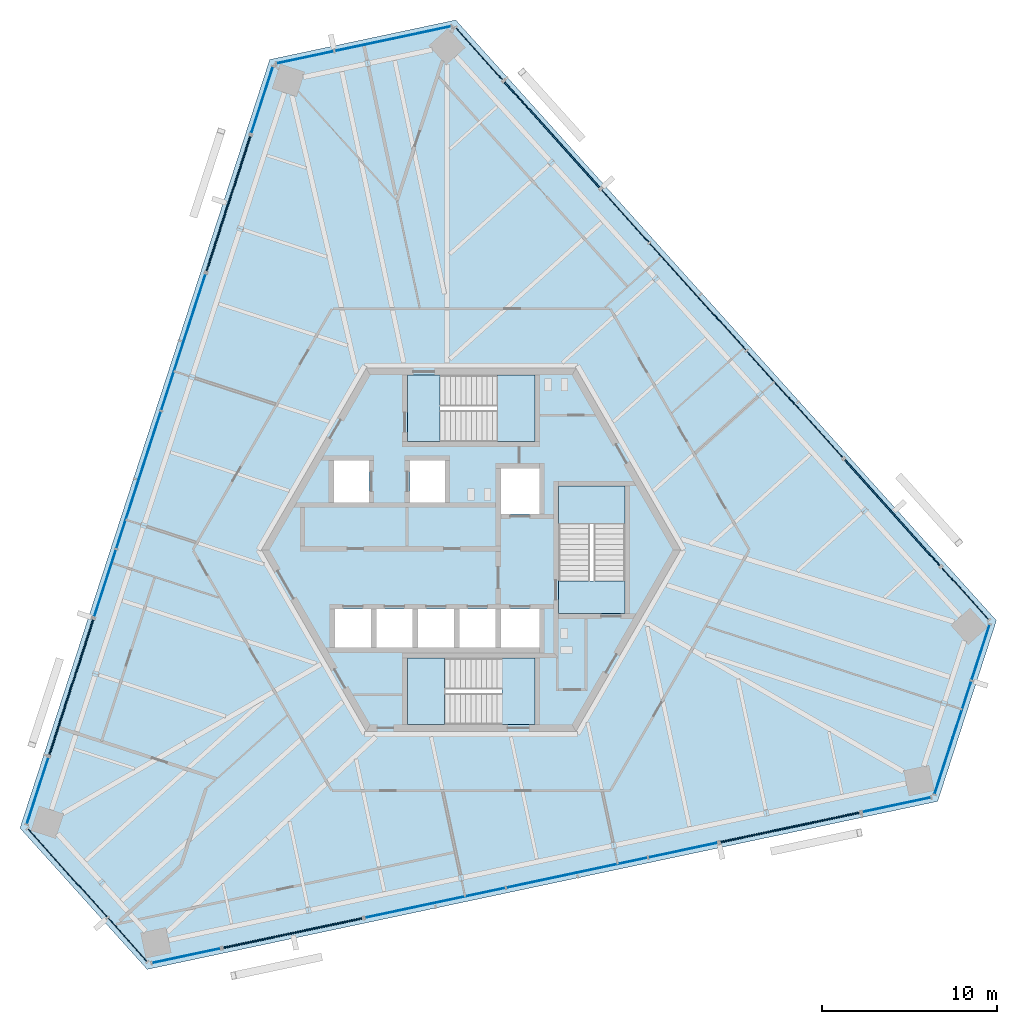
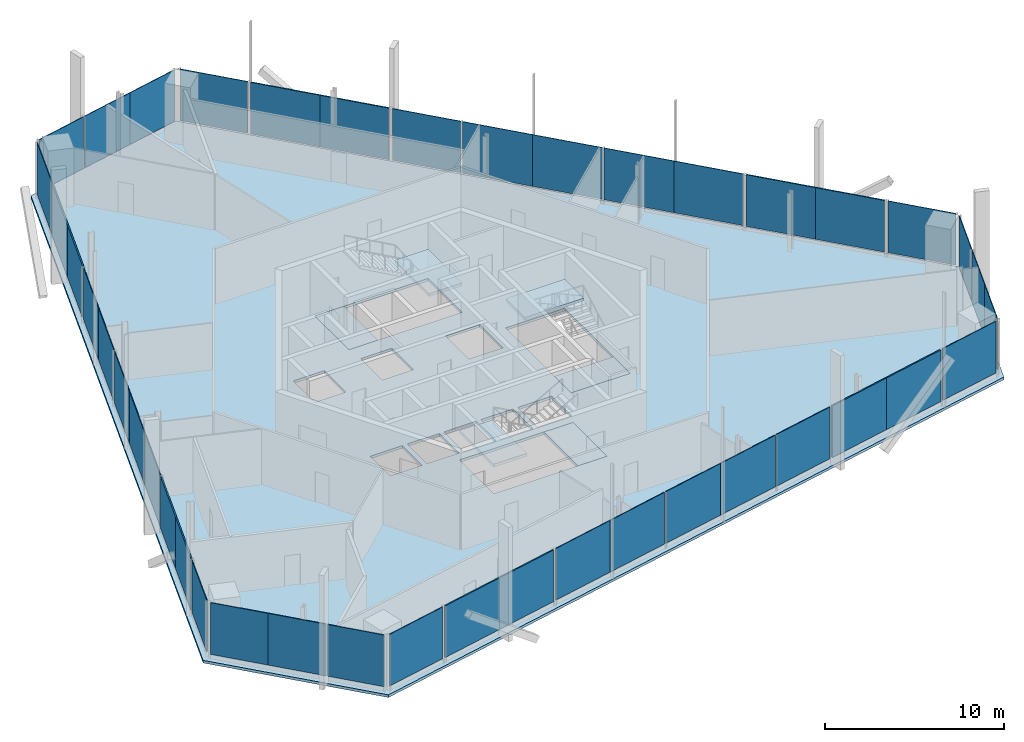
# One storey, part 9 of 17: 42 plates, 7 slabs, 21 elements without a shape of their own.
"""IFC4 building model written with IfcOpenShell, lengths in metres."""

from ifc_helpers import new_model, si_unit, direction, frame, origin, origin_2d, place, context, subcontext, project, spatial, polyline, rectangle, outline, extrude, source, transform, mapped, material, layer, layer_set, type_object, element, aggregate, save


model = new_model("IFC4")

# Units and contexts
model_context = context("Model", 3, precision=1e-05, world=origin(), true_north=direction((0.0, 1.0)))
body_context = subcontext(model_context, "Body", "Model", "MODEL_VIEW")
ifc_project = project(units=[si_unit("LENGTHUNIT", "METRE"), si_unit("AREAUNIT", "SQUARE_METRE"), si_unit("VOLUMEUNIT", "CUBIC_METRE"), si_unit("PLANEANGLEUNIT", "RADIAN"), si_unit("MASSUNIT", "GRAM", prefix="KILO")], contexts=[model_context])

# Site, building, storey
site_placement = place(None, origin())
site = spatial("IfcSite", under=ifc_project, at=site_placement, CompositionType="ELEMENT")
building_placement = place(site_placement, origin())
building = spatial("IfcBuilding", under=site, at=building_placement, Name="Triune Harvest Tower", CompositionType="ELEMENT")
storey_placement = place(building_placement, frame((0.0, 0.0, 288.699951171875)))
storey = spatial("IfcBuildingStorey", under=building, at=storey_placement, Name="L76", CompositionType="ELEMENT", Elevation=288.699951171875)

# Slab
ifc_material_1 = material(Name="Concrete 40 MPa", Category="concrete")
ifc_layer_1 = layer(ifc_material_1, 0.179931640625)
ifc_layer_set_1 = layer_set([ifc_layer_1], Name="Concrete 40 MPa")
slab_type_1 = type_object("IfcSlabType", Name="SL-2 Composite floor slab 180", PredefinedType="FLOOR", material=ifc_layer_set_1)
shared_shape_1 = source(origin(), body_context, "Body", "SweptSolid", [
    extrude(outline(polyline([(30.05810546875, -4.04638671875), (-0.88232421875, 30.31640625), (-11.524658203125, 28.054443359375), (-25.813720703125, -15.922607421875), (-18.533447265625, -24.0078125), (26.696044921875, -14.39404296875), (30.05810546875, -4.04638671875)]), holes=[polyline([(-5.72509765625, -5.590087890625), (-5.72509765625, -3.389892578125), (-7.800048828125, -3.389892578125), (-7.800048828125, -5.590087890625), (-5.72509765625, -5.590087890625)]), polyline([(-3.35009765625, -5.590087890625), (-3.35009765625, -3.389892578125), (-5.425048828125, -3.389892578125), (-5.425048828125, -5.590087890625), (-3.35009765625, -5.590087890625)]), polyline([(-0.97509765625, -5.590087890625), (-0.97509765625, -3.389892578125), (-3.050048828125, -3.389892578125), (-3.050048828125, -5.590087890625), (-0.97509765625, -5.590087890625)]), polyline([(1.39990234375, -5.590087890625), (1.39990234375, -3.389892578125), (-0.675048828125, -3.389892578125), (-0.675048828125, -5.590087890625), (1.39990234375, -5.590087890625)]), polyline([(3.89990234375, 2.06005859375), (3.89990234375, 4.659912109375), (1.699951171875, 4.659912109375), (1.699951171875, 2.06005859375), (3.89990234375, 2.06005859375)]), polyline([(3.89990234375, -5.590087890625), (3.89990234375, -3.389892578125), (1.699951171875, -3.389892578125), (1.699951171875, -5.590087890625), (3.89990234375, -5.590087890625)]), polyline([(-5.85009765625, 2.7099609375), (-5.85009765625, 5.110107421875), (-7.85009765625, 5.110107421875), (-7.85009765625, 2.7099609375), (-5.85009765625, 2.7099609375)]), polyline([(-1.5, 2.7099609375), (-1.5, 5.110107421875), (-3.5, 5.110107421875), (-3.5, 2.7099609375), (-1.5, 2.7099609375)]), polyline([(3.64990234375, 6.18994140625), (3.64990234375, 9.989990234375), (-3.64990234375, 9.989990234375), (-3.64990234375, 6.18994140625), (3.64990234375, 6.18994140625)]), polyline([(3.64990234375, -9.989990234375), (3.64990234375, -6.18994140625), (-3.64990234375, -6.18994140625), (-3.64990234375, -9.989990234375), (3.64990234375, -9.989990234375)]), polyline([(8.800048828125, -3.64990234375), (8.800048828125, 3.64990234375), (5.0, 3.64990234375), (5.0, -3.64990234375), (8.800048828125, -3.64990234375)])]), origin(), (0.0, 0.0, 1.0), 0.179931640625),
])
slab_1_placement = place(storey_placement, frame((0.0, 0.0, -0.179931640625)))
element("IfcSlab", 1, at=slab_1_placement, inside=storey, type_object=slab_type_1, Name="slab/L76/1", PredefinedType="FLOOR", context=body_context, shape_type="MappedRepresentation", body=[
    mapped(shared_shape_1, transform((0.0, 0.0, 0.0), scale=1.0)),
])

# Stair, slabs
ifc_material_2 = material(Name="Concrete 40 MPa", Category="concrete")
stair_type = type_object("IfcStairType", Name="Exit stair 1800 half turn", PredefinedType="HALF_TURN_STAIR", material=ifc_material_2)
stair_1_placement = place(storey_placement, origin())
stair_1 = element("IfcStair", 2, at=stair_1_placement, inside=storey, type_object=stair_type, Name="Exit stair north", PredefinedType="HALF_TURN_STAIR")
ifc_material_3 = material(Name="Concrete 40 MPa", Category="concrete")
ifc_layer_2 = layer(ifc_material_3, 0.199951171875)
ifc_layer_set_2 = layer_set([ifc_layer_2], Name="Concrete 40 MPa")
slab_type_2 = type_object("IfcSlabType", Name="Stair landing 200", PredefinedType="LANDING", material=ifc_layer_set_2)
shared_shape_2 = source(origin(), body_context, "Body", "SweptSolid", [
    extrude(outline(polyline([(1.510009765625, 6.18994140625), (3.64990234375, 6.18994140625), (3.64990234375, 9.989990234375), (1.510009765625, 9.989990234375), (1.510009765625, 6.18994140625)])), origin(), (0.0, 0.0, 1.0), 0.199951171875),
])
slab_2_placement = place(storey_placement, frame((0.0, 0.0, 1.800048828125)))
slab_2 = element("IfcSlab", 3, at=slab_2_placement, type_object=slab_type_2, Name="ST-1 landing 2", PredefinedType="LANDING", context=body_context, shape_type="MappedRepresentation", body=[
    mapped(shared_shape_2, transform((0.0, 0.0, 0.0), scale=1.0)),
])
shared_shape_3 = source(origin(), body_context, "Body", "SweptSolid", [
    extrude(outline(polyline([(-3.64990234375, 6.18994140625), (-1.780029296875, 6.18994140625), (-1.780029296875, 9.989990234375), (-3.64990234375, 9.989990234375), (-3.64990234375, 6.18994140625)])), origin(), (0.0, 0.0, 1.0), 0.199951171875),
])
slab_3_placement = place(storey_placement, frame((0.0, 0.0, -0.199951171875)))
slab_3 = element("IfcSlab", 4, at=slab_3_placement, type_object=slab_type_2, Name="ST-1 landing 1", PredefinedType="LANDING", context=body_context, shape_type="MappedRepresentation", body=[
    mapped(shared_shape_3, transform((0.0, 0.0, 0.0), scale=1.0)),
])
aggregate(stair_1, [slab_3, slab_2])

stair_2_placement = place(storey_placement, origin())
stair_2 = element("IfcStair", 5, at=stair_2_placement, inside=storey, type_object=stair_type, Name="Exit stair south", PredefinedType="HALF_TURN_STAIR")
shared_shape_4 = source(origin(), body_context, "Body", "SweptSolid", [
    extrude(outline(polyline([(-1.510009765625, -6.18994140625), (-3.64990234375, -6.18994140625), (-3.64990234375, -9.989990234375), (-1.510009765625, -9.989990234375), (-1.510009765625, -6.18994140625)])), origin(), (0.0, 0.0, 1.0), 0.199951171875),
])
slab_4_placement = place(storey_placement, frame((0.0, 0.0, 1.800048828125)))
slab_4 = element("IfcSlab", 6, at=slab_4_placement, type_object=slab_type_2, Name="ST-2 landing 2", PredefinedType="LANDING", context=body_context, shape_type="MappedRepresentation", body=[
    mapped(shared_shape_4, transform((0.0, 0.0, 0.0), scale=1.0)),
])
shared_shape_5 = source(origin(), body_context, "Body", "SweptSolid", [
    extrude(outline(polyline([(3.64990234375, -6.18994140625), (1.780029296875, -6.18994140625), (1.780029296875, -9.989990234375), (3.64990234375, -9.989990234375), (3.64990234375, -6.18994140625)])), origin(), (0.0, 0.0, 1.0), 0.199951171875),
])
slab_5_placement = place(storey_placement, frame((0.0, 0.0, -0.199951171875)))
slab_5 = element("IfcSlab", 7, at=slab_5_placement, type_object=slab_type_2, Name="ST-2 landing 1", PredefinedType="LANDING", context=body_context, shape_type="MappedRepresentation", body=[
    mapped(shared_shape_5, transform((0.0, 0.0, 0.0), scale=1.0)),
])
aggregate(stair_2, [slab_5, slab_4])

stair_3_placement = place(storey_placement, origin())
stair_3 = element("IfcStair", 8, at=stair_3_placement, inside=storey, type_object=stair_type, Name="Exit stair east", PredefinedType="HALF_TURN_STAIR")
shared_shape_6 = source(origin(), body_context, "Body", "SweptSolid", [
    extrude(outline(polyline([(8.800048828125, 1.510009765625), (8.800048828125, 3.64990234375), (5.0, 3.64990234375), (5.0, 1.510009765625), (8.800048828125, 1.510009765625)])), origin(), (0.0, 0.0, 1.0), 0.199951171875),
])
slab_6_placement = place(storey_placement, frame((0.0, 0.0, 1.800048828125)))
slab_6 = element("IfcSlab", 9, at=slab_6_placement, type_object=slab_type_2, Name="ST-3 landing 2", PredefinedType="LANDING", context=body_context, shape_type="MappedRepresentation", body=[
    mapped(shared_shape_6, transform((0.0, 0.0, 0.0), scale=1.0)),
])
shared_shape_7 = source(origin(), body_context, "Body", "SweptSolid", [
    extrude(outline(polyline([(8.800048828125, -3.64990234375), (8.800048828125, -1.780029296875), (5.0, -1.780029296875), (5.0, -3.64990234375), (8.800048828125, -3.64990234375)])), origin(), (0.0, 0.0, 1.0), 0.199951171875),
])
slab_7_placement = place(storey_placement, frame((0.0, 0.0, -0.199951171875)))
slab_7 = element("IfcSlab", 10, at=slab_7_placement, type_object=slab_type_2, Name="ST-3 landing 1", PredefinedType="LANDING", context=body_context, shape_type="MappedRepresentation", body=[
    mapped(shared_shape_7, transform((0.0, 0.0, 0.0), scale=1.0)),
])
aggregate(stair_3, [slab_7, slab_6])

# Curtain wall, plate
ifc_material_4 = material(Name="Aluminium bronze anodised", Category="aluminium")
curtain_wall_type_1 = type_object("IfcCurtainWallType", Name="CW-4 Sky lobby tall glazing wall", PredefinedType="NOTDEFINED", material=ifc_material_4)
curtain_wall_1_placement = place(storey_placement, origin())
curtain_wall_1 = element("IfcCurtainWall", 11, at=curtain_wall_1_placement, inside=storey, type_object=curtain_wall_type_1, Name="CW-4 B7-F1 L76 run 2001")
ifc_material_5 = material(Name="Glass", Category="glass")
ifc_layer_3 = layer(ifc_material_5, 0.0439453125)
ifc_layer_set_3 = layer_set([ifc_layer_3], Name="Glass")
plate_type_1 = type_object("IfcPlateType", Name="GL-4 panel 44", PredefinedType="CURTAIN_PANEL", material=ifc_layer_set_3)
shared_shape_8 = source(origin(), body_context, "Body", "SweptSolid", [
    extrude(rectangle(XDim=4.065673828125, YDim=0.0439453125, at=origin_2d()), origin(), (0.0, 0.0, 1.0), 3.52001953125),
])
plate_1_placement = place(storey_placement, frame((19.896484375, 6.791015625, 0.300048828125), z_axis=(0.0, 0.0, 1.0), x_axis=(-0.669131426809, 0.74314408674, 0.0)))
plate_1 = element("IfcPlate", 12, at=plate_1_placement, type_object=plate_type_1, Name="CW-4 panel B7-F1 2001.1", PredefinedType="CURTAIN_PANEL", context=body_context, shape_type="MappedRepresentation", body=[
    mapped(shared_shape_8, transform((0.0, 0.0, 0.0), scale=1.0)),
])

curtain_wall_2_placement = place(storey_placement, origin())
curtain_wall_2 = element("IfcCurtainWall", 13, at=curtain_wall_2_placement, inside=storey, type_object=curtain_wall_type_1, Name="CW-4 B7-F3 L76 run 2001")
plate_2_placement = place(storey_placement, frame((-15.829345703125, 13.835205078125, 0.300048828125), z_axis=(0.0, 0.0, 1.0), x_axis=(-0.309020017761, -0.951055533932, 0.0)))
plate_2 = element("IfcPlate", 14, at=plate_2_placement, type_object=plate_type_1, Name="CW-4 panel B7-F3 2001.1", PredefinedType="CURTAIN_PANEL", context=body_context, shape_type="MappedRepresentation", body=[
    mapped(shared_shape_8, transform((0.0, 0.0, 0.0), scale=1.0)),
])

curtain_wall_3_placement = place(storey_placement, origin())
curtain_wall_3 = element("IfcCurtainWall", 15, at=curtain_wall_3_placement, inside=storey, type_object=curtain_wall_type_1, Name="CW-4 B7-F5 L76 run 2001")
plate_3_placement = place(storey_placement, frame((-4.06689453125, -20.626220703125, 0.300048828125), z_axis=(0.0, 0.0, 1.0), x_axis=(0.978147303245, 0.207913090389, 0.0)))
plate_3 = element("IfcPlate", 16, at=plate_3_placement, type_object=plate_type_1, Name="CW-4 panel B7-F5 2001.1", PredefinedType="CURTAIN_PANEL", context=body_context, shape_type="MappedRepresentation", body=[
    mapped(shared_shape_8, transform((0.0, 0.0, 0.0), scale=1.0)),
])

# Curtain wall, plates
ifc_material_6 = material(Name="Aluminium bronze anodised", Category="aluminium")
curtain_wall_type_2 = type_object("IfcCurtainWallType", Name="CW-9 Sky lobby tall glazing wall with insulated spandrel infill", PredefinedType="NOTDEFINED", material=ifc_material_6)
curtain_wall_4_placement = place(storey_placement, origin())
curtain_wall_4 = element("IfcCurtainWall", 17, at=curtain_wall_4_placement, inside=storey, type_object=curtain_wall_type_2, Name="CW-9 B7-F1 L76 run 1001")
ifc_material_7 = material(Name="Insulated spandrel panel, bronze aluminium pan", Category="aluminium")
ifc_layer_4 = layer(ifc_material_7, 0.080078125)
ifc_layer_set_4 = layer_set([ifc_layer_4], Name="Insulated spandrel panel, bronze aluminium pan")
plate_type_2 = type_object("IfcPlateType", Name="SP-1 insulated spandrel panel 80", PredefinedType="CURTAIN_PANEL", material=ifc_layer_set_4)
shared_shape_9 = source(origin(), body_context, "Body", "SweptSolid", [
    extrude(rectangle(XDim=4.065673828125, YDim=0.080078125, at=origin_2d()), origin(), (0.0, 0.0, 1.0), 3.52001953125),
])
plate_4_placement = place(storey_placement, frame((25.4580078125, 0.6142578125, 0.300048828125), z_axis=(0.0, 0.0, 1.0), x_axis=(-0.669128901343, 0.743146360677, 0.0)))
plate_4 = element("IfcPlate", 18, at=plate_4_placement, type_object=plate_type_2, Name="CW-9 panel B7-F1 1001.1", PredefinedType="CURTAIN_PANEL", context=body_context, shape_type="MappedRepresentation", body=[
    mapped(shared_shape_9, transform((0.0, 0.0, 0.0), scale=1.0)),
])
plate_5_placement = place(storey_placement, frame((22.7373046875, 3.6357421875, 0.300048828125), z_axis=(0.0, 0.0, 1.0), x_axis=(-0.669128901343, 0.743146360677, 0.0)))
plate_5 = element("IfcPlate", 19, at=plate_5_placement, type_object=plate_type_2, Name="CW-9 panel B7-F1 1001.2", PredefinedType="CURTAIN_PANEL", context=body_context, shape_type="MappedRepresentation", body=[
    mapped(shared_shape_9, transform((0.0, 0.0, 0.0), scale=1.0)),
])
aggregate(curtain_wall_4, [plate_4, plate_5])

curtain_wall_5_placement = place(storey_placement, origin())
curtain_wall_5 = element("IfcCurtainWall", 20, at=curtain_wall_5_placement, inside=storey, type_object=curtain_wall_type_2, Name="CW-9 B7-F1 L76 run 3001")
plate_6_placement = place(storey_placement, frame((5.99267578125, 22.232666015625, 0.300048828125), z_axis=(0.0, 0.0, 1.0), x_axis=(-0.669128901343, 0.743146360677, 0.0)))
plate_6 = element("IfcPlate", 21, at=plate_6_placement, type_object=plate_type_2, Name="CW-9 panel B7-F1 3001.1", PredefinedType="CURTAIN_PANEL", context=body_context, shape_type="MappedRepresentation", body=[
    mapped(shared_shape_9, transform((0.0, 0.0, 0.0), scale=1.0)),
])
plate_7_placement = place(storey_placement, frame((3.27197265625, 25.254150390625, 0.300048828125), z_axis=(0.0, 0.0, 1.0), x_axis=(-0.669128901343, 0.743146360677, 0.0)))
plate_7 = element("IfcPlate", 22, at=plate_7_placement, type_object=plate_type_2, Name="CW-9 panel B7-F1 3001.2", PredefinedType="CURTAIN_PANEL", context=body_context, shape_type="MappedRepresentation", body=[
    mapped(shared_shape_9, transform((0.0, 0.0, 0.0), scale=1.0)),
])
aggregate(curtain_wall_5, [plate_6, plate_7])

curtain_wall_6_placement = place(storey_placement, origin())
curtain_wall_6 = element("IfcCurtainWall", 23, at=curtain_wall_6_placement, inside=storey, type_object=curtain_wall_type_2, Name="CW-9 B7-F3 L76 run 1001")
plate_8_placement = place(storey_placement, frame((-13.260986328125, 21.739990234375, 0.300048828125), z_axis=(0.0, 0.0, 1.0), x_axis=(-0.309014250382, -0.951057407868, 0.0)))
plate_8 = element("IfcPlate", 24, at=plate_8_placement, type_object=plate_type_2, Name="CW-9 panel B7-F3 1001.1", PredefinedType="CURTAIN_PANEL", context=body_context, shape_type="MappedRepresentation", body=[
    mapped(shared_shape_9, transform((0.0, 0.0, 0.0), scale=1.0)),
])
plate_9_placement = place(storey_placement, frame((-14.517333984375, 17.873291015625, 0.300048828125), z_axis=(0.0, 0.0, 1.0), x_axis=(-0.309014250382, -0.951057407868, 0.0)))
plate_9 = element("IfcPlate", 25, at=plate_9_placement, type_object=plate_type_2, Name="CW-9 panel B7-F3 1001.2", PredefinedType="CURTAIN_PANEL", context=body_context, shape_type="MappedRepresentation", body=[
    mapped(shared_shape_9, transform((0.0, 0.0, 0.0), scale=1.0)),
])
aggregate(curtain_wall_6, [plate_8, plate_9])

curtain_wall_7_placement = place(storey_placement, origin())
curtain_wall_7 = element("IfcCurtainWall", 26, at=curtain_wall_7_placement, inside=storey, type_object=curtain_wall_type_2, Name="CW-9 B7-F3 L76 run 3001")
plate_10_placement = place(storey_placement, frame((-22.25048828125, -5.9267578125, 0.300048828125), z_axis=(0.0, 0.0, 1.0), x_axis=(-0.309014250382, -0.951057407868, 0.0)))
plate_10 = element("IfcPlate", 27, at=plate_10_placement, type_object=plate_type_2, Name="CW-9 panel B7-F3 3001.1", PredefinedType="CURTAIN_PANEL", context=body_context, shape_type="MappedRepresentation", body=[
    mapped(shared_shape_9, transform((0.0, 0.0, 0.0), scale=1.0)),
])
plate_11_placement = place(storey_placement, frame((-23.5068359375, -9.79345703125, 0.300048828125), z_axis=(0.0, 0.0, 1.0), x_axis=(-0.309014250382, -0.951057407868, 0.0)))
plate_11 = element("IfcPlate", 28, at=plate_11_placement, type_object=plate_type_2, Name="CW-9 panel B7-F3 3001.2", PredefinedType="CURTAIN_PANEL", context=body_context, shape_type="MappedRepresentation", body=[
    mapped(shared_shape_9, transform((0.0, 0.0, 0.0), scale=1.0)),
])
aggregate(curtain_wall_7, [plate_10, plate_11])

# Plate
shared_shape_10 = source(origin(), body_context, "Body", "SweptSolid", [
    extrude(rectangle(XDim=4.11083984375, YDim=0.0439453125, at=origin_2d()), origin(), (0.0, 0.0, 1.0), 3.52001953125),
])
plate_12_placement = place(storey_placement, frame((17.160888671875, 9.8291015625, 0.300048828125), z_axis=(0.0, 0.0, 1.0), x_axis=(-0.669131426809, 0.74314408674, 0.0)))
plate_12 = element("IfcPlate", 29, at=plate_12_placement, type_object=plate_type_1, Name="CW-4 panel B7-F1 2001.2", PredefinedType="CURTAIN_PANEL", context=body_context, shape_type="MappedRepresentation", body=[
    mapped(shared_shape_10, transform((0.0, 0.0, 0.0), scale=1.0)),
])

plate_13_placement = place(storey_placement, frame((14.349853515625, 12.950927734375, 0.300048828125), z_axis=(0.0, 0.0, 1.0), x_axis=(-0.669131426809, 0.74314408674, 0.0)))
plate_13 = element("IfcPlate", 30, at=plate_13_placement, type_object=plate_type_1, Name="CW-4 panel B7-F1 2001.3", PredefinedType="CURTAIN_PANEL", context=body_context, shape_type="MappedRepresentation", body=[
    mapped(shared_shape_10, transform((0.0, 0.0, 0.0), scale=1.0)),
])

plate_14_placement = place(storey_placement, frame((11.599365234375, 16.005859375, 0.300048828125), z_axis=(0.0, 0.0, 1.0), x_axis=(-0.669131426809, 0.74314408674, 0.0)))
plate_14 = element("IfcPlate", 31, at=plate_14_placement, type_object=plate_type_1, Name="CW-4 panel B7-F1 2001.4", PredefinedType="CURTAIN_PANEL", context=body_context, shape_type="MappedRepresentation", body=[
    mapped(shared_shape_10, transform((0.0, 0.0, 0.0), scale=1.0)),
])

plate_15_placement = place(storey_placement, frame((-17.0927734375, 9.947021484375, 0.300048828125), z_axis=(0.0, 0.0, 1.0), x_axis=(-0.309020017761, -0.951055533932, 0.0)))
plate_15 = element("IfcPlate", 32, at=plate_15_placement, type_object=plate_type_1, Name="CW-4 panel B7-F3 2001.2", PredefinedType="CURTAIN_PANEL", context=body_context, shape_type="MappedRepresentation", body=[
    mapped(shared_shape_10, transform((0.0, 0.0, 0.0), scale=1.0)),
])

plate_16_placement = place(storey_placement, frame((-18.390869140625, 5.951904296875, 0.300048828125), z_axis=(0.0, 0.0, 1.0), x_axis=(-0.309020017761, -0.951055533932, 0.0)))
plate_16 = element("IfcPlate", 33, at=plate_16_placement, type_object=plate_type_1, Name="CW-4 panel B7-F3 2001.3", PredefinedType="CURTAIN_PANEL", context=body_context, shape_type="MappedRepresentation", body=[
    mapped(shared_shape_10, transform((0.0, 0.0, 0.0), scale=1.0)),
])

plate_17_placement = place(storey_placement, frame((-19.6611328125, 2.042236328125, 0.300048828125), z_axis=(0.0, 0.0, 1.0), x_axis=(-0.309020017761, -0.951055533932, 0.0)))
plate_17 = element("IfcPlate", 34, at=plate_17_placement, type_object=plate_type_1, Name="CW-4 panel B7-F3 2001.4", PredefinedType="CURTAIN_PANEL", context=body_context, shape_type="MappedRepresentation", body=[
    mapped(shared_shape_10, transform((0.0, 0.0, 0.0), scale=1.0)),
])

plate_18_placement = place(storey_placement, frame((-0.068115234375, -19.776123046875, 0.300048828125), z_axis=(0.0, 0.0, 1.0), x_axis=(0.978147303245, 0.207913090389, 0.0)))
plate_18 = element("IfcPlate", 35, at=plate_18_placement, type_object=plate_type_1, Name="CW-4 panel B7-F5 2001.2", PredefinedType="CURTAIN_PANEL", context=body_context, shape_type="MappedRepresentation", body=[
    mapped(shared_shape_10, transform((0.0, 0.0, 0.0), scale=1.0)),
])

plate_19_placement = place(storey_placement, frame((4.041015625, -18.90283203125, 0.300048828125), z_axis=(0.0, 0.0, 1.0), x_axis=(0.978147303245, 0.207913090389, 0.0)))
plate_19 = element("IfcPlate", 36, at=plate_19_placement, type_object=plate_type_1, Name="CW-4 panel B7-F5 2001.3", PredefinedType="CURTAIN_PANEL", context=body_context, shape_type="MappedRepresentation", body=[
    mapped(shared_shape_10, transform((0.0, 0.0, 0.0), scale=1.0)),
])

plate_20_placement = place(storey_placement, frame((8.061767578125, -18.048095703125, 0.300048828125), z_axis=(0.0, 0.0, 1.0), x_axis=(0.978147303245, 0.207913090389, 0.0)))
plate_20 = element("IfcPlate", 37, at=plate_20_placement, type_object=plate_type_1, Name="CW-4 panel B7-F5 2001.4", PredefinedType="CURTAIN_PANEL", context=body_context, shape_type="MappedRepresentation", body=[
    mapped(shared_shape_10, transform((0.0, 0.0, 0.0), scale=1.0)),
])

shared_shape_11 = source(origin(), body_context, "Body", "SweptSolid", [
    extrude(rectangle(XDim=4.020751953125, YDim=0.0439453125, at=origin_2d()), origin(), (0.0, 0.0, 1.0), 3.52001953125),
])
plate_21_placement = place(storey_placement, frame((8.818603515625, 19.09423828125, 0.300048828125), z_axis=(0.0, 0.0, 1.0), x_axis=(-0.669131426809, 0.74314408674, 0.0)))
plate_21 = element("IfcPlate", 38, at=plate_21_placement, type_object=plate_type_1, Name="CW-4 panel B7-F1 2001.5", PredefinedType="CURTAIN_PANEL", context=body_context, shape_type="MappedRepresentation", body=[
    mapped(shared_shape_11, transform((0.0, 0.0, 0.0), scale=1.0)),
])

aggregate(curtain_wall_1, [plate_1, plate_12, plate_13, plate_14, plate_21])

plate_22_placement = place(storey_placement, frame((-20.9453125, -1.91015625, 0.300048828125), z_axis=(0.0, 0.0, 1.0), x_axis=(-0.309020017761, -0.951055533932, 0.0)))
plate_22 = element("IfcPlate", 39, at=plate_22_placement, type_object=plate_type_1, Name="CW-4 panel B7-F3 2001.5", PredefinedType="CURTAIN_PANEL", context=body_context, shape_type="MappedRepresentation", body=[
    mapped(shared_shape_11, transform((0.0, 0.0, 0.0), scale=1.0)),
])

aggregate(curtain_wall_2, [plate_2, plate_15, plate_16, plate_17, plate_22])

plate_23_placement = place(storey_placement, frame((12.126708984375, -17.18408203125, 0.300048828125), z_axis=(0.0, 0.0, 1.0), x_axis=(0.978147303245, 0.207913090389, 0.0)))
plate_23 = element("IfcPlate", 40, at=plate_23_placement, type_object=plate_type_1, Name="CW-4 panel B7-F5 2001.5", PredefinedType="CURTAIN_PANEL", context=body_context, shape_type="MappedRepresentation", body=[
    mapped(shared_shape_11, transform((0.0, 0.0, 0.0), scale=1.0)),
])

aggregate(curtain_wall_3, [plate_3, plate_18, plate_19, plate_20, plate_23])

# Curtain wall, plate
curtain_wall_8_placement = place(storey_placement, origin())
curtain_wall_8 = element("IfcCurtainWall", 41, at=curtain_wall_8_placement, inside=storey, type_object=curtain_wall_type_1, Name="CW-4 B7-F2 L76 run 1")
shared_shape_12 = source(origin(), body_context, "Body", "SweptSolid", [
    extrude(rectangle(XDim=3.361328125, YDim=0.0439453125, at=origin_2d()), origin(), (0.0, 0.0, 1.0), 3.52001953125),
])
plate_24_placement = place(storey_placement, frame((-2.809326171875, 29.60009765625, 0.300048828125), z_axis=(0.0, 0.0, 1.0), x_axis=(-0.978149078297, -0.207904739307, 0.0)))
plate_24 = element("IfcPlate", 42, at=plate_24_placement, type_object=plate_type_1, Name="CW-4 panel B7-F2 1.1", PredefinedType="CURTAIN_PANEL", context=body_context, shape_type="MappedRepresentation", body=[
    mapped(shared_shape_12, transform((0.0, 0.0, 0.0), scale=1.0)),
])

curtain_wall_9_placement = place(storey_placement, origin())
curtain_wall_9 = element("IfcCurtainWall", 43, at=curtain_wall_9_placement, inside=storey, type_object=curtain_wall_type_1, Name="CW-4 B7-F6 L76 run 1")
plate_25_placement = place(storey_placement, frame((27.039306640625, -12.366943359375, 0.300048828125), z_axis=(0.0, 0.0, 1.0), x_axis=(0.309018882717, 0.951055902733, 0.0)))
plate_25 = element("IfcPlate", 44, at=plate_25_placement, type_object=plate_type_1, Name="CW-4 panel B7-F6 1.1", PredefinedType="CURTAIN_PANEL", context=body_context, shape_type="MappedRepresentation", body=[
    mapped(shared_shape_12, transform((0.0, 0.0, 0.0), scale=1.0)),
])

# Plate
shared_shape_13 = source(origin(), body_context, "Body", "SweptSolid", [
    extrude(rectangle(XDim=3.40625, YDim=0.0439453125, at=origin_2d()), origin(), (0.0, 0.0, 1.0), 3.52001953125),
])
plate_26_placement = place(storey_placement, frame((-6.119140625, 28.896728515625, 0.300048828125), z_axis=(0.0, 0.0, 1.0), x_axis=(-0.978149078297, -0.207904739307, 0.0)))
plate_26 = element("IfcPlate", 45, at=plate_26_placement, type_object=plate_type_1, Name="CW-4 panel B7-F2 1.2", PredefinedType="CURTAIN_PANEL", context=body_context, shape_type="MappedRepresentation", body=[
    mapped(shared_shape_13, transform((0.0, 0.0, 0.0), scale=1.0)),
])

# Curtain wall, plate
curtain_wall_10_placement = place(storey_placement, origin())
curtain_wall_10 = element("IfcCurtainWall", 46, at=curtain_wall_10_placement, inside=storey, type_object=curtain_wall_type_1, Name="CW-4 B7-F4 L76 run 1")
plate_27_placement = place(storey_placement, frame((-21.9658203125, -19.747802734375, 0.300048828125), z_axis=(0.0, 0.0, 1.0), x_axis=(0.669132031472, -0.743143542297, 0.0)))
plate_27 = element("IfcPlate", 47, at=plate_27_placement, type_object=plate_type_1, Name="CW-4 panel B7-F4 1.2", PredefinedType="CURTAIN_PANEL", context=body_context, shape_type="MappedRepresentation", body=[
    mapped(shared_shape_13, transform((0.0, 0.0, 0.0), scale=1.0)),
])

# Plate
plate_28_placement = place(storey_placement, frame((28.0849609375, -9.14892578125, 0.300048828125), z_axis=(0.0, 0.0, 1.0), x_axis=(0.309018882717, 0.951055902733, 0.0)))
plate_28 = element("IfcPlate", 48, at=plate_28_placement, type_object=plate_type_1, Name="CW-4 panel B7-F6 1.2", PredefinedType="CURTAIN_PANEL", context=body_context, shape_type="MappedRepresentation", body=[
    mapped(shared_shape_13, transform((0.0, 0.0, 0.0), scale=1.0)),
])

shared_shape_14 = source(origin(), body_context, "Body", "SweptSolid", [
    extrude(rectangle(XDim=3.316162109375, YDim=0.0439453125, at=origin_2d()), origin(), (0.0, 0.0, 1.0), 3.52001953125),
])
plate_29_placement = place(storey_placement, frame((-9.494873046875, 28.17919921875, 0.300048828125), z_axis=(0.0, 0.0, 1.0), x_axis=(-0.978149078297, -0.207904739307, 0.0)))
plate_29 = element("IfcPlate", 49, at=plate_29_placement, type_object=plate_type_1, Name="CW-4 panel B7-F2 1.3", PredefinedType="CURTAIN_PANEL", context=body_context, shape_type="MappedRepresentation", body=[
    mapped(shared_shape_14, transform((0.0, 0.0, 0.0), scale=1.0)),
])

aggregate(curtain_wall_8, [plate_24, plate_26, plate_29])

plate_30_placement = place(storey_placement, frame((-19.656494140625, -22.3125, 0.300048828125), z_axis=(0.0, 0.0, 1.0), x_axis=(0.669132031472, -0.743143542297, 0.0)))
plate_30 = element("IfcPlate", 50, at=plate_30_placement, type_object=plate_type_1, Name="CW-4 panel B7-F4 1.3", PredefinedType="CURTAIN_PANEL", context=body_context, shape_type="MappedRepresentation", body=[
    mapped(shared_shape_14, transform((0.0, 0.0, 0.0), scale=1.0)),
])

plate_31_placement = place(storey_placement, frame((29.1513671875, -5.86669921875, 0.300048828125), z_axis=(0.0, 0.0, 1.0), x_axis=(0.309018882717, 0.951055902733, 0.0)))
plate_31 = element("IfcPlate", 51, at=plate_31_placement, type_object=plate_type_1, Name="CW-4 panel B7-F6 1.3", PredefinedType="CURTAIN_PANEL", context=body_context, shape_type="MappedRepresentation", body=[
    mapped(shared_shape_14, transform((0.0, 0.0, 0.0), scale=1.0)),
])

aggregate(curtain_wall_9, [plate_25, plate_28, plate_31])

shared_shape_15 = source(origin(), body_context, "Body", "SweptSolid", [
    extrude(rectangle(XDim=3.361083984375, YDim=0.0439453125, at=origin_2d()), origin(), (0.0, 0.0, 1.0), 3.52001953125),
])
plate_32_placement = place(storey_placement, frame((-24.229736328125, -17.233154296875, 0.300048828125), z_axis=(0.0, 0.0, 1.0), x_axis=(0.669132031472, -0.743143542297, 0.0)))
plate_32 = element("IfcPlate", 52, at=plate_32_placement, type_object=plate_type_1, Name="CW-4 panel B7-F4 1.1", PredefinedType="CURTAIN_PANEL", context=body_context, shape_type="MappedRepresentation", body=[
    mapped(shared_shape_15, transform((0.0, 0.0, 0.0), scale=1.0)),
])

aggregate(curtain_wall_10, [plate_32, plate_27, plate_30])

# Curtain wall, plate
curtain_wall_11_placement = place(storey_placement, origin())
curtain_wall_11 = element("IfcCurtainWall", 53, at=curtain_wall_11_placement, inside=storey, type_object=curtain_wall_type_1, Name="CW-4 B7-F1 L76 run 1")
shared_shape_16 = source(origin(), body_context, "Body", "SweptSolid", [
    extrude(rectangle(XDim=3.975830078125, YDim=0.0439453125, at=origin_2d()), origin(), (0.0, 0.0, 1.0), 3.52001953125),
])
plate_33_placement = place(storey_placement, frame((28.268798828125, -2.507568359375, 0.300048828125), z_axis=(0.0, 0.0, 1.0), x_axis=(-0.669136589405, 0.743139438275, 0.0)))
plate_33 = element("IfcPlate", 54, at=plate_33_placement, type_object=plate_type_1, Name="CW-4 panel B7-F1 1.1", PredefinedType="CURTAIN_PANEL", context=body_context, shape_type="MappedRepresentation", body=[
    mapped(shared_shape_16, transform((0.0, 0.0, 0.0), scale=1.0)),
])
aggregate(curtain_wall_11, [plate_33])

curtain_wall_12_placement = place(storey_placement, origin())
curtain_wall_12 = element("IfcCurtainWall", 55, at=curtain_wall_12_placement, inside=storey, type_object=curtain_wall_type_1, Name="CW-4 B7-F1 L76 run 4001")
plate_34_placement = place(storey_placement, frame((0.461181640625, 28.3759765625, 0.300048828125), z_axis=(0.0, 0.0, 1.0), x_axis=(-0.669136589405, 0.743139438275, 0.0)))
plate_34 = element("IfcPlate", 56, at=plate_34_placement, type_object=plate_type_1, Name="CW-4 panel B7-F1 4001.1", PredefinedType="CURTAIN_PANEL", context=body_context, shape_type="MappedRepresentation", body=[
    mapped(shared_shape_16, transform((0.0, 0.0, 0.0), scale=1.0)),
])
aggregate(curtain_wall_12, [plate_34])

curtain_wall_13_placement = place(storey_placement, origin())
curtain_wall_13 = element("IfcCurtainWall", 57, at=curtain_wall_13_placement, inside=storey, type_object=curtain_wall_type_1, Name="CW-4 B7-F3 L76 run 1")
plate_35_placement = place(storey_placement, frame((-11.962890625, 25.735107421875, 0.300048828125), z_axis=(0.0, 0.0, 1.0), x_axis=(-0.309011407356, -0.95105833161, 0.0)))
plate_35 = element("IfcPlate", 58, at=plate_35_placement, type_object=plate_type_1, Name="CW-4 panel B7-F3 1.1", PredefinedType="CURTAIN_PANEL", context=body_context, shape_type="MappedRepresentation", body=[
    mapped(shared_shape_16, transform((0.0, 0.0, 0.0), scale=1.0)),
])
aggregate(curtain_wall_13, [plate_35])

curtain_wall_14_placement = place(storey_placement, origin())
curtain_wall_14 = element("IfcCurtainWall", 59, at=curtain_wall_14_placement, inside=storey, type_object=curtain_wall_type_1, Name="CW-4 B7-F3 L76 run 4001")
plate_36_placement = place(storey_placement, frame((-24.804931640625, -13.788818359375, 0.300048828125), z_axis=(0.0, 0.0, 1.0), x_axis=(-0.309011407356, -0.95105833161, 0.0)))
plate_36 = element("IfcPlate", 60, at=plate_36_placement, type_object=plate_type_1, Name="CW-4 panel B7-F3 4001.1", PredefinedType="CURTAIN_PANEL", context=body_context, shape_type="MappedRepresentation", body=[
    mapped(shared_shape_16, transform((0.0, 0.0, 0.0), scale=1.0)),
])
aggregate(curtain_wall_14, [plate_36])

curtain_wall_15_placement = place(storey_placement, origin())
curtain_wall_15 = element("IfcCurtainWall", 61, at=curtain_wall_15_placement, inside=storey, type_object=curtain_wall_type_1, Name="CW-4 B7-F5 L76 run 1")
plate_37_placement = place(storey_placement, frame((-16.305908203125, -23.227783203125, 0.300048828125), z_axis=(0.0, 0.0, 1.0), x_axis=(0.978149917016, 0.207900793267, 0.0)))
plate_37 = element("IfcPlate", 62, at=plate_37_placement, type_object=plate_type_1, Name="CW-4 panel B7-F5 1.1", PredefinedType="CURTAIN_PANEL", context=body_context, shape_type="MappedRepresentation", body=[
    mapped(shared_shape_16, transform((0.0, 0.0, 0.0), scale=1.0)),
])
aggregate(curtain_wall_15, [plate_37])

curtain_wall_16_placement = place(storey_placement, origin())
curtain_wall_16 = element("IfcCurtainWall", 63, at=curtain_wall_16_placement, inside=storey, type_object=curtain_wall_type_1, Name="CW-4 B7-F5 L76 run 4001")
plate_38_placement = place(storey_placement, frame((24.34375, -14.58740234375, 0.300048828125), z_axis=(0.0, 0.0, 1.0), x_axis=(0.978149917016, 0.207900793267, 0.0)))
plate_38 = element("IfcPlate", 64, at=plate_38_placement, type_object=plate_type_1, Name="CW-4 panel B7-F5 4001.1", PredefinedType="CURTAIN_PANEL", context=body_context, shape_type="MappedRepresentation", body=[
    mapped(shared_shape_16, transform((0.0, 0.0, 0.0), scale=1.0)),
])
aggregate(curtain_wall_16, [plate_38])

# Curtain wall, plates
curtain_wall_17_placement = place(storey_placement, origin())
curtain_wall_17 = element("IfcCurtainWall", 65, at=curtain_wall_17_placement, inside=storey, type_object=curtain_wall_type_2, Name="CW-9 B7-F5 L76 run 1001")
shared_shape_17 = source(origin(), body_context, "Body", "SweptSolid", [
    extrude(rectangle(XDim=4.06591796875, YDim=0.080078125, at=origin_2d()), origin(), (0.0, 0.0, 1.0), 3.52001953125),
])
plate_39_placement = place(storey_placement, frame((-12.197021484375, -22.354248046875, 0.300048828125), z_axis=(0.0, 0.0, 1.0), x_axis=(0.978147229954, 0.20791343519, 0.0)))
plate_39 = element("IfcPlate", 66, at=plate_39_placement, type_object=plate_type_2, Name="CW-9 panel B7-F5 1001.1", PredefinedType="CURTAIN_PANEL", context=body_context, shape_type="MappedRepresentation", body=[
    mapped(shared_shape_17, transform((0.0, 0.0, 0.0), scale=1.0)),
])
plate_40_placement = place(storey_placement, frame((-8.219970703125, -21.509033203125, 0.300048828125), z_axis=(0.0, 0.0, 1.0), x_axis=(0.978147229954, 0.20791343519, 0.0)))
plate_40 = element("IfcPlate", 67, at=plate_40_placement, type_object=plate_type_2, Name="CW-9 panel B7-F5 1001.2", PredefinedType="CURTAIN_PANEL", context=body_context, shape_type="MappedRepresentation", body=[
    mapped(shared_shape_17, transform((0.0, 0.0, 0.0), scale=1.0)),
])
aggregate(curtain_wall_17, [plate_39, plate_40])

curtain_wall_18_placement = place(storey_placement, origin())
curtain_wall_18 = element("IfcCurtainWall", 68, at=curtain_wall_18_placement, inside=storey, type_object=curtain_wall_type_2, Name="CW-9 B7-F5 L76 run 3001")
plate_41_placement = place(storey_placement, frame((16.2578125, -16.305908203125, 0.300048828125), z_axis=(0.0, 0.0, 1.0), x_axis=(0.978147229954, 0.20791343519, 0.0)))
plate_41 = element("IfcPlate", 69, at=plate_41_placement, type_object=plate_type_2, Name="CW-9 panel B7-F5 3001.1", PredefinedType="CURTAIN_PANEL", context=body_context, shape_type="MappedRepresentation", body=[
    mapped(shared_shape_17, transform((0.0, 0.0, 0.0), scale=1.0)),
])
plate_42_placement = place(storey_placement, frame((20.23486328125, -15.460693359375, 0.300048828125), z_axis=(0.0, 0.0, 1.0), x_axis=(0.978147229954, 0.20791343519, 0.0)))
plate_42 = element("IfcPlate", 70, at=plate_42_placement, type_object=plate_type_2, Name="CW-9 panel B7-F5 3001.2", PredefinedType="CURTAIN_PANEL", context=body_context, shape_type="MappedRepresentation", body=[
    mapped(shared_shape_17, transform((0.0, 0.0, 0.0), scale=1.0)),
])
aggregate(curtain_wall_18, [plate_41, plate_42])

save(model, "model.ifc")
